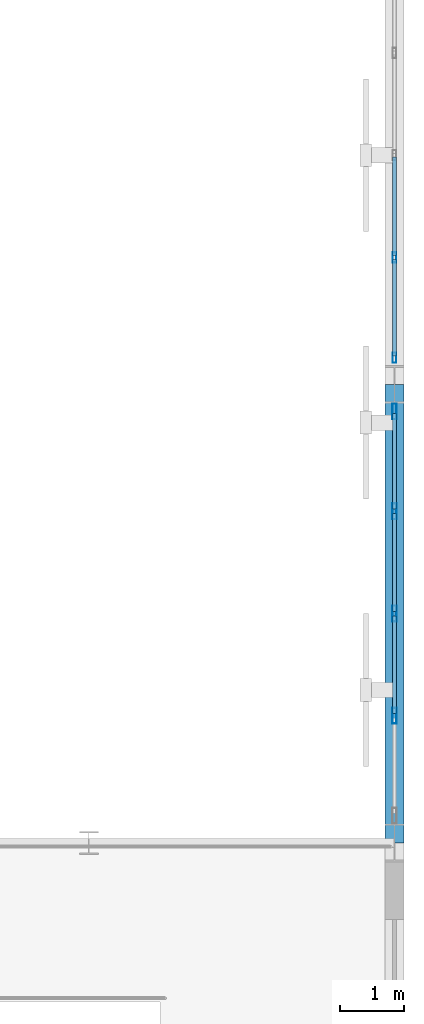
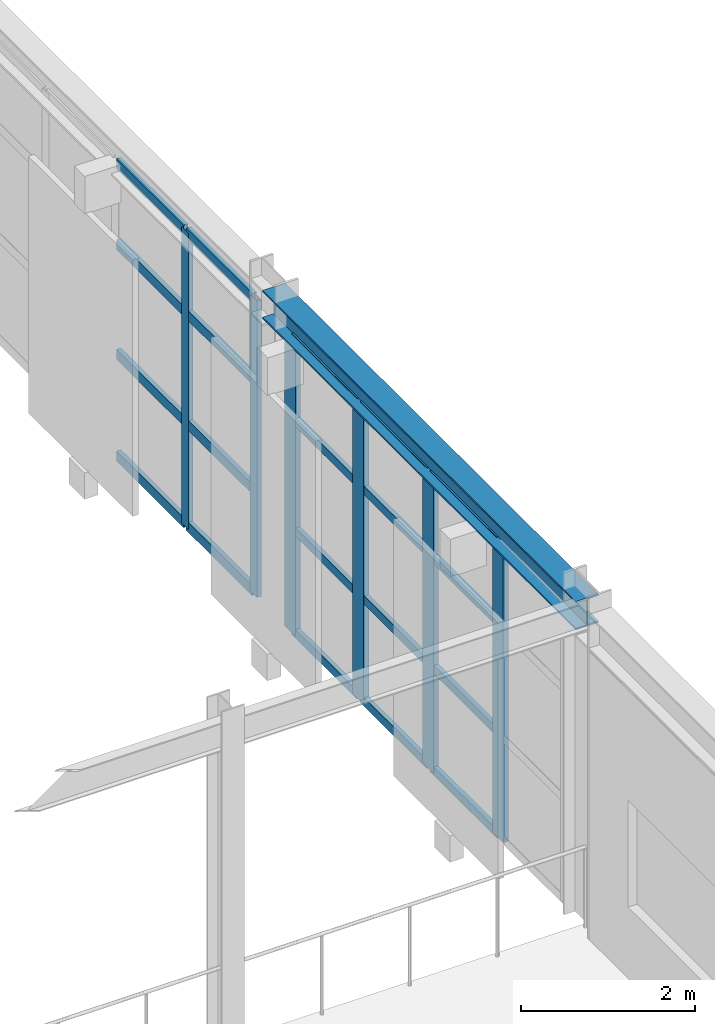
# One storey, part 61 of 121: 26 members, 1 beam, 2 elements without a shape of their own.
"""IFC4 building model written with IfcOpenShell, lengths in metres."""

from ifc_helpers import new_model, si_unit, direction, frame, origin, origin_2d, place, context, subcontext, project, spatial, hollow_rectangle, i_section, extrude, material, layer, layer_set, material_profile, profile_set, type_object, element, aggregate, save


model = new_model("IFC4")

# Units and contexts
model_context = context("Model", 3, precision=1e-05, world=origin(), true_north=direction((0.0, 1.0)))
body_context = subcontext(model_context, "Body", "Model", "MODEL_VIEW")
ifc_project = project(units=[si_unit("LENGTHUNIT", "METRE"), si_unit("AREAUNIT", "SQUARE_METRE"), si_unit("VOLUMEUNIT", "CUBIC_METRE"), si_unit("PLANEANGLEUNIT", "RADIAN"), si_unit("MASSUNIT", "GRAM", prefix="KILO")], contexts=[model_context])

# Site, building, storey
site_placement = place(None, origin())
site = spatial("IfcSite", under=ifc_project, at=site_placement, CompositionType="ELEMENT")
building_placement = place(site_placement, origin())
building = spatial("IfcBuilding", under=site, at=building_placement, Name="Solvadek Multi-Sports Hall", CompositionType="ELEMENT")
storey_placement = place(building_placement, frame((0.0, 0.0, 4.800048828125)))
storey = spatial("IfcBuildingStorey", under=building, at=storey_placement, Name="L01", CompositionType="ELEMENT", Elevation=4.800048828125)

# Curtain wall, members
ifc_material_1 = material(Name="Anodised aluminium", Category="aluminium")
ifc_layer = layer(ifc_material_1, 0.159912109375, Name="Anodised aluminium")
ifc_layer_set = layer_set([ifc_layer], Name="Anodised aluminium")
curtain_wall_type = type_object("IfcCurtainWallType", Name="ENV-CW-642X416", PredefinedType="USERDEFINED", material=ifc_layer_set)
curtain_wall_1_placement = place(storey_placement, origin())
curtain_wall_1 = element("IfcCurtainWall", 1, at=curtain_wall_1_placement, inside=storey, type_object=curtain_wall_type, Name="L01 Perimeter Bay Curtain Wall #149", ObjectType="CURTAIN WALL", PredefinedType="USERDEFINED")
ifc_material_profile_1 = material_profile(ifc_material_1, hollow_rectangle(XDim=0.06005859375, YDim=0.159912109375, WallThickness=0.00390625, at=origin_2d()), Name="ALU-M 160x60x4")
ifc_profile_set_1 = profile_set([ifc_material_profile_1], Name="Anodised aluminium")
member_type_1 = type_object("IfcMemberType", Name="ENV-CWM-01", PredefinedType="MULLION", material=ifc_profile_set_1)
member_1_placement = place(storey_placement, frame((161.39990234375, 56.820068359375, 0.0), z_axis=(0.0, 0.0, 1.0), x_axis=(-1.0, 0.0, 0.0)))
member_1 = element("IfcMember", 2, at=member_1_placement, type_object=member_type_1, Name="CW-53 mullion 1", PredefinedType="MULLION", context=body_context, shape_type="SweptSolid", body=[
    extrude(hollow_rectangle(XDim=0.06005859375, YDim=0.159912109375, WallThickness=0.00390625, at=origin_2d()), origin(), (0.0, 0.0, 1.0), 4.161865234375),
])
member_2_placement = place(storey_placement, frame((161.39990234375, 58.39501953125, 0.0), z_axis=(0.0, 0.0, 1.0), x_axis=(-1.0, 0.0, 0.0)))
member_2 = element("IfcMember", 3, at=member_2_placement, type_object=member_type_1, Name="CW-53 mullion 2", PredefinedType="MULLION", context=body_context, shape_type="SweptSolid", body=[
    extrude(hollow_rectangle(XDim=0.06005859375, YDim=0.159912109375, WallThickness=0.00390625, at=origin_2d()), origin(), (0.0, 0.0, 1.0), 4.161865234375),
])

curtain_wall_2_placement = place(storey_placement, origin())
curtain_wall_2 = element("IfcCurtainWall", 4, at=curtain_wall_2_placement, inside=storey, type_object=curtain_wall_type, Name="L01 Perimeter Bay Curtain Wall #145", ObjectType="CURTAIN WALL", PredefinedType="USERDEFINED")
ifc_material_profile_2 = material_profile(ifc_material_1, hollow_rectangle(XDim=0.070068359375, YDim=0.25, WallThickness=0.0048828125, at=origin_2d()), Name="ALU-M 250x70x5")
ifc_profile_set_2 = profile_set([ifc_material_profile_2], Name="Anodised aluminium")
member_type_2 = type_object("IfcMemberType", Name="ENV-CWM-05", PredefinedType="MULLION", material=ifc_profile_set_2)
member_3_placement = place(storey_placement, frame((161.39990234375, 51.195068359375, 0.0), z_axis=(0.0, 0.0, 1.0), x_axis=(-1.0, 0.0, 0.0)))
member_3 = element("IfcMember", 5, at=member_3_placement, type_object=member_type_2, Name="CW-53 mullion 2", PredefinedType="MULLION", context=body_context, shape_type="SweptSolid", body=[
    extrude(hollow_rectangle(XDim=0.070068359375, YDim=0.25, WallThickness=0.0048828125, at=origin_2d()), origin(), (0.0, 0.0, 1.0), 4.161865234375),
])
member_4_placement = place(storey_placement, frame((161.39990234375, 52.800048828125, 0.0), z_axis=(0.0, 0.0, 1.0), x_axis=(-1.0, 0.0, 0.0)))
member_4 = element("IfcMember", 6, at=member_4_placement, type_object=member_type_2, Name="CW-53 mullion 3", PredefinedType="MULLION", context=body_context, shape_type="SweptSolid", body=[
    extrude(hollow_rectangle(XDim=0.070068359375, YDim=0.25, WallThickness=0.0048828125, at=origin_2d()), origin(), (0.0, 0.0, 1.0), 4.161865234375),
])
member_5_placement = place(storey_placement, frame((161.39990234375, 54.405029296875, 0.0), z_axis=(0.0, 0.0, 1.0), x_axis=(-1.0, 0.0, 0.0)))
member_5 = element("IfcMember", 7, at=member_5_placement, type_object=member_type_2, Name="CW-53 mullion 4", PredefinedType="MULLION", context=body_context, shape_type="SweptSolid", body=[
    extrude(hollow_rectangle(XDim=0.070068359375, YDim=0.25, WallThickness=0.0048828125, at=origin_2d()), origin(), (0.0, 0.0, 1.0), 4.161865234375),
])
member_6_placement = place(storey_placement, frame((161.39990234375, 55.97509765625, 0.0), z_axis=(0.0, 0.0, 1.0), x_axis=(-1.0, 0.0, 0.0)))
member_6 = element("IfcMember", 8, at=member_6_placement, type_object=member_type_2, Name="CW-53 mullion 5", PredefinedType="MULLION", context=body_context, shape_type="SweptSolid", body=[
    extrude(hollow_rectangle(XDim=0.070068359375, YDim=0.25, WallThickness=0.0048828125, at=origin_2d()), origin(), (0.0, 0.0, 1.0), 4.161865234375),
])
ifc_material_profile_3 = material_profile(ifc_material_1, hollow_rectangle(XDim=0.06005859375, YDim=0.1201171875, WallThickness=0.00390625, at=origin_2d()), Name="ALU-T 120x60x4")
ifc_profile_set_3 = profile_set([ifc_material_profile_3], Name="Anodised aluminium")
member_type_3 = type_object("IfcMemberType", Name="ENV-CWT-01", PredefinedType="USERDEFINED", material=ifc_profile_set_3)
member_7_placement = place(storey_placement, frame((161.39990234375, 51.22998046875, 0.030029296875), z_axis=(0.0, 1.0, 0.0), x_axis=(-1.0, 0.0, 0.0)))
member_7 = element("IfcMember", 9, at=member_7_placement, type_object=member_type_3, Name="CW-53 transom 2.1", ObjectType="TRANSOM", PredefinedType="USERDEFINED", context=body_context, shape_type="SweptSolid", body=[
    extrude(hollow_rectangle(XDim=0.06005859375, YDim=0.1201171875, WallThickness=0.00390625, at=origin_2d()), origin(), (0.0, 0.0, 1.0), 1.534912109375),
])
member_8_placement = place(storey_placement, frame((161.39990234375, 51.22998046875, 1.45703125), z_axis=(0.0, 1.0, 0.0), x_axis=(-1.0, 0.0, 0.0)))
member_8 = element("IfcMember", 10, at=member_8_placement, type_object=member_type_3, Name="CW-53 transom 2.2", ObjectType="TRANSOM", PredefinedType="USERDEFINED", context=body_context, shape_type="SweptSolid", body=[
    extrude(hollow_rectangle(XDim=0.06005859375, YDim=0.1201171875, WallThickness=0.00390625, at=origin_2d()), origin(), (0.0, 0.0, 1.0), 1.534912109375),
])
member_9_placement = place(storey_placement, frame((161.39990234375, 51.22998046875, 2.9970703125), z_axis=(0.0, 1.0, 0.0), x_axis=(-1.0, 0.0, 0.0)))
member_9 = element("IfcMember", 11, at=member_9_placement, type_object=member_type_3, Name="CW-53 transom 2.3", ObjectType="TRANSOM", PredefinedType="USERDEFINED", context=body_context, shape_type="SweptSolid", body=[
    extrude(hollow_rectangle(XDim=0.06005859375, YDim=0.1201171875, WallThickness=0.00390625, at=origin_2d()), origin(), (0.0, 0.0, 1.0), 1.534912109375),
])
member_10_placement = place(storey_placement, frame((161.39990234375, 51.22998046875, 4.1318359375), z_axis=(0.0, 1.0, 0.0), x_axis=(-1.0, 0.0, 0.0)))
member_10 = element("IfcMember", 12, at=member_10_placement, type_object=member_type_3, Name="CW-53 transom 2.4", ObjectType="TRANSOM", PredefinedType="USERDEFINED", context=body_context, shape_type="SweptSolid", body=[
    extrude(hollow_rectangle(XDim=0.06005859375, YDim=0.1201171875, WallThickness=0.00390625, at=origin_2d()), origin(), (0.0, 0.0, 1.0), 1.534912109375),
])
member_11_placement = place(storey_placement, frame((161.39990234375, 52.8349609375, 0.030029296875), z_axis=(0.0, 1.0, 0.0), x_axis=(-1.0, 0.0, 0.0)))
member_11 = element("IfcMember", 13, at=member_11_placement, type_object=member_type_3, Name="CW-53 transom 3.1", ObjectType="TRANSOM", PredefinedType="USERDEFINED", context=body_context, shape_type="SweptSolid", body=[
    extrude(hollow_rectangle(XDim=0.06005859375, YDim=0.1201171875, WallThickness=0.00390625, at=origin_2d()), origin(), (0.0, 0.0, 1.0), 1.53515625),
])
member_12_placement = place(storey_placement, frame((161.39990234375, 52.8349609375, 1.45703125), z_axis=(0.0, 1.0, 0.0), x_axis=(-1.0, 0.0, 0.0)))
member_12 = element("IfcMember", 14, at=member_12_placement, type_object=member_type_3, Name="CW-53 transom 3.2", ObjectType="TRANSOM", PredefinedType="USERDEFINED", context=body_context, shape_type="SweptSolid", body=[
    extrude(hollow_rectangle(XDim=0.06005859375, YDim=0.1201171875, WallThickness=0.00390625, at=origin_2d()), origin(), (0.0, 0.0, 1.0), 1.53515625),
])
member_13_placement = place(storey_placement, frame((161.39990234375, 52.8349609375, 2.9970703125), z_axis=(0.0, 1.0, 0.0), x_axis=(-1.0, 0.0, 0.0)))
member_13 = element("IfcMember", 15, at=member_13_placement, type_object=member_type_3, Name="CW-53 transom 3.3", ObjectType="TRANSOM", PredefinedType="USERDEFINED", context=body_context, shape_type="SweptSolid", body=[
    extrude(hollow_rectangle(XDim=0.06005859375, YDim=0.1201171875, WallThickness=0.00390625, at=origin_2d()), origin(), (0.0, 0.0, 1.0), 1.53515625),
])
member_14_placement = place(storey_placement, frame((161.39990234375, 52.8349609375, 4.1318359375), z_axis=(0.0, 1.0, 0.0), x_axis=(-1.0, 0.0, 0.0)))
member_14 = element("IfcMember", 16, at=member_14_placement, type_object=member_type_3, Name="CW-53 transom 3.4", ObjectType="TRANSOM", PredefinedType="USERDEFINED", context=body_context, shape_type="SweptSolid", body=[
    extrude(hollow_rectangle(XDim=0.06005859375, YDim=0.1201171875, WallThickness=0.00390625, at=origin_2d()), origin(), (0.0, 0.0, 1.0), 1.53515625),
])
member_15_placement = place(storey_placement, frame((161.39990234375, 54.43994140625, 0.030029296875), z_axis=(0.0, 1.0, 0.0), x_axis=(-1.0, 0.0, 0.0)))
member_15 = element("IfcMember", 17, at=member_15_placement, type_object=member_type_3, Name="CW-53 transom 4.1", ObjectType="TRANSOM", PredefinedType="USERDEFINED", context=body_context, shape_type="SweptSolid", body=[
    extrude(hollow_rectangle(XDim=0.06005859375, YDim=0.1201171875, WallThickness=0.00390625, at=origin_2d()), origin(), (0.0, 0.0, 1.0), 1.5),
])
member_16_placement = place(storey_placement, frame((161.39990234375, 54.43994140625, 1.45703125), z_axis=(0.0, 1.0, 0.0), x_axis=(-1.0, 0.0, 0.0)))
member_16 = element("IfcMember", 18, at=member_16_placement, type_object=member_type_3, Name="CW-53 transom 4.2", ObjectType="TRANSOM", PredefinedType="USERDEFINED", context=body_context, shape_type="SweptSolid", body=[
    extrude(hollow_rectangle(XDim=0.06005859375, YDim=0.1201171875, WallThickness=0.00390625, at=origin_2d()), origin(), (0.0, 0.0, 1.0), 1.5),
])
member_17_placement = place(storey_placement, frame((161.39990234375, 54.43994140625, 2.9970703125), z_axis=(0.0, 1.0, 0.0), x_axis=(-1.0, 0.0, 0.0)))
member_17 = element("IfcMember", 19, at=member_17_placement, type_object=member_type_3, Name="CW-53 transom 4.3", ObjectType="TRANSOM", PredefinedType="USERDEFINED", context=body_context, shape_type="SweptSolid", body=[
    extrude(hollow_rectangle(XDim=0.06005859375, YDim=0.1201171875, WallThickness=0.00390625, at=origin_2d()), origin(), (0.0, 0.0, 1.0), 1.5),
])
member_18_placement = place(storey_placement, frame((161.39990234375, 54.43994140625, 4.1318359375), z_axis=(0.0, 1.0, 0.0), x_axis=(-1.0, 0.0, 0.0)))
member_18 = element("IfcMember", 20, at=member_18_placement, type_object=member_type_3, Name="CW-53 transom 4.4", ObjectType="TRANSOM", PredefinedType="USERDEFINED", context=body_context, shape_type="SweptSolid", body=[
    extrude(hollow_rectangle(XDim=0.06005859375, YDim=0.1201171875, WallThickness=0.00390625, at=origin_2d()), origin(), (0.0, 0.0, 1.0), 1.5),
])
aggregate(curtain_wall_2, [member_3, member_4, member_5, member_6, member_7, member_8, member_9, member_10, member_11, member_12, member_13, member_14, member_15, member_16, member_17, member_18])

# Member
ifc_material_profile_4 = material_profile(ifc_material_1, hollow_rectangle(XDim=0.06005859375, YDim=0.139892578125, WallThickness=0.00390625, at=origin_2d()), Name="ALU-T 140x60x4")
ifc_profile_set_4 = profile_set([ifc_material_profile_4], Name="Anodised aluminium")
member_type_4 = type_object("IfcMemberType", Name="ENV-CWT-02", PredefinedType="USERDEFINED", material=ifc_profile_set_4)
member_19_placement = place(storey_placement, frame((161.39990234375, 56.85009765625, 0.030029296875), z_axis=(0.0, 1.0, 0.0), x_axis=(-1.0, 0.0, 0.0)))
member_19 = element("IfcMember", 21, at=member_19_placement, type_object=member_type_4, Name="CW-53 transom 1.1", ObjectType="TRANSOM", PredefinedType="USERDEFINED", context=body_context, shape_type="SweptSolid", body=[
    extrude(hollow_rectangle(XDim=0.06005859375, YDim=0.139892578125, WallThickness=0.00390625, at=origin_2d()), origin(), (0.0, 0.0, 1.0), 1.514892578125),
])

member_20_placement = place(storey_placement, frame((161.39990234375, 56.85009765625, 1.45703125), z_axis=(0.0, 1.0, 0.0), x_axis=(-1.0, 0.0, 0.0)))
member_20 = element("IfcMember", 22, at=member_20_placement, type_object=member_type_4, Name="CW-53 transom 1.2", ObjectType="TRANSOM", PredefinedType="USERDEFINED", context=body_context, shape_type="SweptSolid", body=[
    extrude(hollow_rectangle(XDim=0.06005859375, YDim=0.139892578125, WallThickness=0.00390625, at=origin_2d()), origin(), (0.0, 0.0, 1.0), 1.514892578125),
])

member_21_placement = place(storey_placement, frame((161.39990234375, 56.85009765625, 2.9970703125), z_axis=(0.0, 1.0, 0.0), x_axis=(-1.0, 0.0, 0.0)))
member_21 = element("IfcMember", 23, at=member_21_placement, type_object=member_type_4, Name="CW-53 transom 1.3", ObjectType="TRANSOM", PredefinedType="USERDEFINED", context=body_context, shape_type="SweptSolid", body=[
    extrude(hollow_rectangle(XDim=0.06005859375, YDim=0.139892578125, WallThickness=0.00390625, at=origin_2d()), origin(), (0.0, 0.0, 1.0), 1.514892578125),
])

member_22_placement = place(storey_placement, frame((161.39990234375, 56.85009765625, 4.1318359375), z_axis=(0.0, 1.0, 0.0), x_axis=(-1.0, 0.0, 0.0)))
member_22 = element("IfcMember", 24, at=member_22_placement, type_object=member_type_4, Name="CW-53 transom 1.4", ObjectType="TRANSOM", PredefinedType="USERDEFINED", context=body_context, shape_type="SweptSolid", body=[
    extrude(hollow_rectangle(XDim=0.06005859375, YDim=0.139892578125, WallThickness=0.00390625, at=origin_2d()), origin(), (0.0, 0.0, 1.0), 1.514892578125),
])

member_23_placement = place(storey_placement, frame((161.39990234375, 58.425048828125, 0.030029296875), z_axis=(0.0, 1.0, 0.0), x_axis=(-1.0, 0.0, 0.0)))
member_23 = element("IfcMember", 25, at=member_23_placement, type_object=member_type_4, Name="CW-53 transom 2.1", ObjectType="TRANSOM", PredefinedType="USERDEFINED", context=body_context, shape_type="SweptSolid", body=[
    extrude(hollow_rectangle(XDim=0.06005859375, YDim=0.139892578125, WallThickness=0.00390625, at=origin_2d()), origin(), (0.0, 0.0, 1.0), 1.544921875),
])

member_24_placement = place(storey_placement, frame((161.39990234375, 58.425048828125, 1.45703125), z_axis=(0.0, 1.0, 0.0), x_axis=(-1.0, 0.0, 0.0)))
member_24 = element("IfcMember", 26, at=member_24_placement, type_object=member_type_4, Name="CW-53 transom 2.2", ObjectType="TRANSOM", PredefinedType="USERDEFINED", context=body_context, shape_type="SweptSolid", body=[
    extrude(hollow_rectangle(XDim=0.06005859375, YDim=0.139892578125, WallThickness=0.00390625, at=origin_2d()), origin(), (0.0, 0.0, 1.0), 1.544921875),
])

member_25_placement = place(storey_placement, frame((161.39990234375, 58.425048828125, 2.9970703125), z_axis=(0.0, 1.0, 0.0), x_axis=(-1.0, 0.0, 0.0)))
member_25 = element("IfcMember", 27, at=member_25_placement, type_object=member_type_4, Name="CW-53 transom 2.3", ObjectType="TRANSOM", PredefinedType="USERDEFINED", context=body_context, shape_type="SweptSolid", body=[
    extrude(hollow_rectangle(XDim=0.06005859375, YDim=0.139892578125, WallThickness=0.00390625, at=origin_2d()), origin(), (0.0, 0.0, 1.0), 1.544921875),
])

member_26_placement = place(storey_placement, frame((161.39990234375, 58.425048828125, 4.1318359375), z_axis=(0.0, 1.0, 0.0), x_axis=(-1.0, 0.0, 0.0)))
member_26 = element("IfcMember", 28, at=member_26_placement, type_object=member_type_4, Name="CW-53 transom 2.4", ObjectType="TRANSOM", PredefinedType="USERDEFINED", context=body_context, shape_type="SweptSolid", body=[
    extrude(hollow_rectangle(XDim=0.06005859375, YDim=0.139892578125, WallThickness=0.00390625, at=origin_2d()), origin(), (0.0, 0.0, 1.0), 1.544921875),
])

aggregate(curtain_wall_1, [member_1, member_2, member_19, member_20, member_21, member_22, member_23, member_24, member_25, member_26])

# Beam
ifc_material_2 = material(Name="Steel E350 (350 MPa)", Category="steel")
ifc_material_profile_5 = material_profile(ifc_material_2, i_section(OverallWidth=0.300048828125, OverallDepth=0.39990234375, WebThickness=0.013427734375, FlangeThickness=0.02392578125, at=origin_2d()), Name="WPB 400")
ifc_profile_set_5 = profile_set([ifc_material_profile_5], Name="Steel E350 (350 MPa)")
beam_type = type_object("IfcBeamType", Name="STR-SPN-WPB400", PredefinedType="SPANDREL", material=ifc_profile_set_5)
beam_placement = place(storey_placement, frame((161.39990234375, 49.199951171875, 4.35986328125), z_axis=(0.0, 1.0, 0.0), x_axis=(-1.0, 0.0, 0.0)))
element("IfcBeam", 29, at=beam_placement, inside=storey, type_object=beam_type, Name="L01 Girder SP-02 #1306", PredefinedType="SPANDREL", context=body_context, shape_type="SweptSolid", body=[
    extrude(i_section(OverallWidth=0.300048828125, OverallDepth=0.39990234375, WebThickness=0.013427734375, FlangeThickness=0.02392578125, at=origin_2d()), origin(), (0.0, 0.0, 1.0), 7.199951171875),
])

save(model, "model.ifc")
